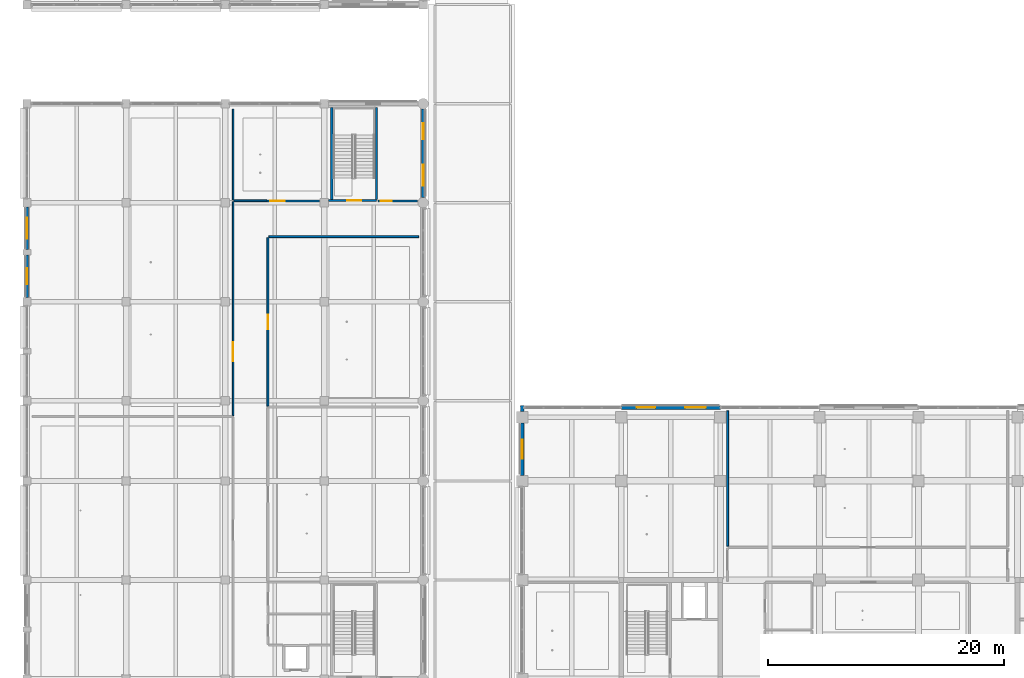
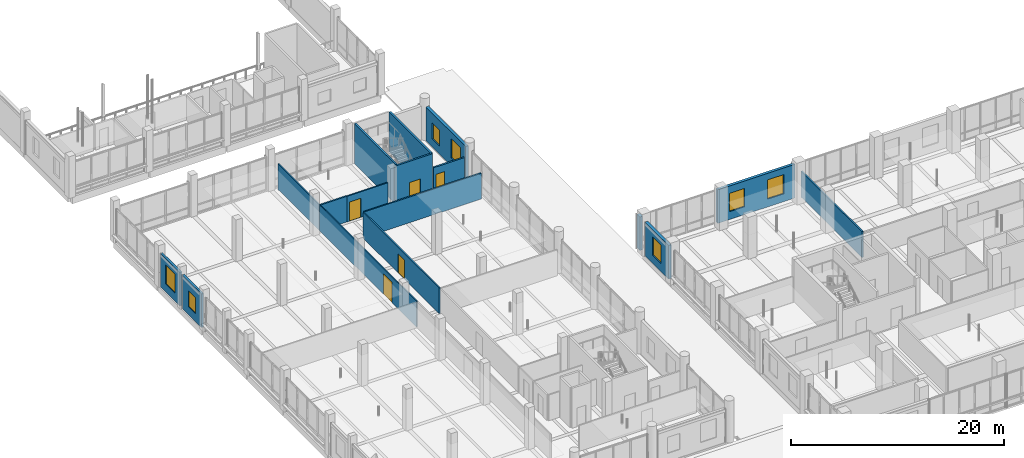
# One storey, part 54 of 128: 17 walls, 7 windows, 5 doors, 12 openings.
"""IFC4 building model written with IfcOpenShell, lengths in metres."""

from ifc_helpers import new_model, si_unit, direction, frame, frame_2d, origin, place, context, subcontext, project, spatial, rectangle, extrude, material, layer, layer_set, type_object, element, fill, save


model = new_model("IFC4")

# Units and contexts
model_context = context("Model", 3, precision=1e-05, world=origin(), true_north=direction((0.0, 1.0)))
body_context = subcontext(model_context, "Body", "Model", "MODEL_VIEW")
ifc_project = project(units=[si_unit("LENGTHUNIT", "METRE"), si_unit("AREAUNIT", "SQUARE_METRE"), si_unit("VOLUMEUNIT", "CUBIC_METRE"), si_unit("PLANEANGLEUNIT", "RADIAN"), si_unit("MASSUNIT", "GRAM", prefix="KILO")], contexts=[model_context])

# Site, building, storey
site_placement = place(None, origin())
site = spatial("IfcSite", under=ifc_project, at=site_placement, CompositionType="ELEMENT")
building_placement = place(site_placement, origin())
building = spatial("IfcBuilding", under=site, at=building_placement, Name="Telukmera Botanical Conservatory", CompositionType="ELEMENT")
storey_placement = place(building_placement, frame((0.0, 0.0, 5.39990234375)))
storey = spatial("IfcBuildingStorey", under=building, at=storey_placement, Name="L01", CompositionType="ELEMENT", Elevation=5.39990234375)

# Wall, openings, windows
ifc_material_1 = material(Name="Terracotta-faced precast concrete C40/50", Category="masonry")
ifc_layer_1 = layer(ifc_material_1, 0.300048828125)
ifc_layer_set_1 = layer_set([ifc_layer_1], Name="Terracotta-faced precast concrete C40/50")
wall_type_1 = type_object("IfcWallType", Name="Exterior Polychrome Terracotta Precast Wall 300", PredefinedType="SOLIDWALL", material=ifc_layer_set_1)
wall_1_placement = place(storey_placement, frame((42.0, 66.85205078125, 0.0), z_axis=(0.0, 0.0, 1.0), x_axis=(0.0, 1.0, 0.0)))
wall_1 = element("IfcWall", 1, at=wall_1_placement, inside=storey, type_object=wall_type_1, Name="Exterior Precast Wall EW02 V3:L01:E7", PredefinedType="SOLIDWALL", context=body_context, shape_type="SweptSolid", body=[
    extrude(rectangle(XDim=7.495849609375, YDim=0.300048828125, at=frame_2d((3.748046875, 0.0))), origin(), (0.0, 0.0, 1.0), 3.85009765625),
])
opening_1_placement = place(wall_1_placement, frame((0.9990234375, 0.0, 0.89990234375)))
opening_1 = element("IfcOpeningElement", 2, at=opening_1_placement, cuts=wall_1, Name="Opening W08", PredefinedType="OPENING", context=body_context, shape_type="SweptSolid", body=[
    extrude(rectangle(XDim=1.75, YDim=2.199951171875, at=frame_2d((0.875, 1.10009765625))), frame((0.0, 0.159912109375, 0.0), z_axis=(0.0, -1.0, 0.0), x_axis=(1.0, 0.0, 0.0)), (0.0, 0.0, 1.0), 0.320068359375),
])
opening_2_placement = place(wall_1_placement, frame((4.947021484375, 0.0, 0.89990234375)))
opening_2 = element("IfcOpeningElement", 3, at=opening_2_placement, cuts=wall_1, Name="Opening W05", PredefinedType="OPENING", context=body_context, shape_type="SweptSolid", body=[
    extrude(rectangle(XDim=1.35009765625, YDim=1.85009765625, at=frame_2d((0.675048828125, 0.925048828125))), frame((0.0, 0.159912109375, 0.0), z_axis=(0.0, -1.0, 0.0), x_axis=(1.0, 0.0, 0.0)), (0.0, 0.0, 1.0), 0.320068359375),
])
ifc_material_2 = material(Name="Thermally broken anodised aluminium frame with low-E double glazing", Category="aluminium")
window_type_1 = type_object("IfcWindowType", Name="Double Vertical Casement Classroom Window 1350x1850", PartitioningType="DOUBLE_PANEL_VERTICAL", PredefinedType="WINDOW", material=ifc_material_2)
window_1_placement = place(opening_2_placement, origin())
window_1 = element("IfcWindow", 4, at=window_1_placement, inside=storey, type_object=window_type_1, Name="Facade Window W05 V3:L01:E7 2", OverallHeight=1.85009765625, OverallWidth=1.35009765625, PartitioningType="DOUBLE_PANEL_VERTICAL", PredefinedType="WINDOW", context=body_context, shape_type="SweptSolid", body=[
    extrude(rectangle(XDim=1.35009765625, YDim=1.85009765625, at=frame_2d((0.675048828125, 0.925048828125))), frame((0.0, 0.030029296875, 0.0), z_axis=(0.0, -1.0, 0.0), x_axis=(1.0, 0.0, 0.0)), (0.0, 0.0, 1.0), 0.06005859375),
])
fill(opening_2, window_1)
window_type_2 = type_object("IfcWindowType", Name="Double Vertical Library Reading Window 1750x2200", PartitioningType="DOUBLE_PANEL_VERTICAL", PredefinedType="WINDOW", material=ifc_material_2)
window_2_placement = place(opening_1_placement, origin())
window_2 = element("IfcWindow", 5, at=window_2_placement, inside=storey, type_object=window_type_2, Name="Facade Window W08 V3:L01:E7 1", OverallHeight=2.199951171875, OverallWidth=1.75, PartitioningType="DOUBLE_PANEL_VERTICAL", PredefinedType="WINDOW", context=body_context, shape_type="SweptSolid", body=[
    extrude(rectangle(XDim=1.75, YDim=2.199951171875, at=frame_2d((0.875, 1.10009765625))), frame((0.0, 0.030029296875, 0.0), z_axis=(0.0, -1.0, 0.0), x_axis=(1.0, 0.0, 0.0)), (0.0, 0.0, 1.0), 0.06005859375),
])
fill(opening_1, window_2)

# Wall
wall_2_placement = place(storey_placement, frame((50.39990234375, 48.677001953125, 0.0), z_axis=(0.0, 0.0, 1.0), x_axis=(0.0, 1.0, 0.0)))
element("IfcWall", 6, at=wall_2_placement, inside=storey, type_object=wall_type_1, Name="Exterior Precast Wall EW02 V4:L01:NWC", PredefinedType="SOLIDWALL", context=body_context, shape_type="SweptSolid", body=[
    extrude(rectangle(XDim=0.52294921875, YDim=0.300048828125, at=frame_2d((0.261474609375, 0.0))), origin(), (0.0, 0.0, 1.0), 3.85009765625),
])

# Wall, openings, windows
wall_3_placement = place(storey_placement, frame((58.802001953125, 49.02001953125, 0.0), z_axis=(0.0, 0.0, 1.0), x_axis=(1.0, 0.0, 0.0)))
wall_3 = element("IfcWall", 7, at=wall_3_placement, inside=storey, type_object=wall_type_1, Name="Exterior Precast Wall EW02 V4:L01:N2", PredefinedType="SOLIDWALL", context=body_context, shape_type="SweptSolid", body=[
    extrude(rectangle(XDim=8.39599609375, YDim=0.300048828125, at=frame_2d((4.197998046875, 0.0))), origin(), (0.0, 0.0, 1.0), 3.85009765625),
])
opening_3_placement = place(wall_3_placement, frame((1.299072265625, 0.0, 0.89990234375)))
opening_3 = element("IfcOpeningElement", 8, at=opening_3_placement, cuts=wall_3, Name="Opening W07", PredefinedType="OPENING", context=body_context, shape_type="SweptSolid", body=[
    extrude(rectangle(XDim=1.60009765625, YDim=2.10009765625, at=frame_2d((0.800048828125, 1.050048828125))), frame((0.0, 0.159912109375, 0.0), z_axis=(0.0, -1.0, 0.0), x_axis=(1.0, 0.0, 0.0)), (0.0, 0.0, 1.0), 0.320068359375),
])
opening_4_placement = place(wall_3_placement, frame((5.422119140625, 0.0, 0.89990234375)))
opening_4 = element("IfcOpeningElement", 9, at=opening_4_placement, cuts=wall_3, Name="Opening W08", PredefinedType="OPENING", context=body_context, shape_type="SweptSolid", body=[
    extrude(rectangle(XDim=1.75, YDim=2.199951171875, at=frame_2d((0.875, 1.10009765625))), frame((0.0, 0.159912109375, 0.0), z_axis=(0.0, -1.0, 0.0), x_axis=(1.0, 0.0, 0.0)), (0.0, 0.0, 1.0), 0.320068359375),
])
window_type_3 = type_object("IfcWindowType", Name="Double Vertical Curation Study Window 1600x2100", PartitioningType="DOUBLE_PANEL_VERTICAL", PredefinedType="WINDOW", material=ifc_material_2)
window_3_placement = place(opening_3_placement, origin())
window_3 = element("IfcWindow", 10, at=window_3_placement, inside=storey, type_object=window_type_3, Name="Facade Window W07 V4:L01:N2 1", OverallHeight=2.10009765625, OverallWidth=1.60009765625, PartitioningType="DOUBLE_PANEL_VERTICAL", PredefinedType="WINDOW", context=body_context, shape_type="SweptSolid", body=[
    extrude(rectangle(XDim=1.60009765625, YDim=2.10009765625, at=frame_2d((0.800048828125, 1.050048828125))), frame((0.0, 0.030029296875, 0.0), z_axis=(0.0, -1.0, 0.0), x_axis=(1.0, 0.0, 0.0)), (0.0, 0.0, 1.0), 0.06005859375),
])
fill(opening_3, window_3)
window_4_placement = place(opening_4_placement, origin())
window_4 = element("IfcWindow", 11, at=window_4_placement, inside=storey, type_object=window_type_2, Name="Facade Window W08 V4:L01:N2 2", OverallHeight=2.199951171875, OverallWidth=1.75, PartitioningType="DOUBLE_PANEL_VERTICAL", PredefinedType="WINDOW", context=body_context, shape_type="SweptSolid", body=[
    extrude(rectangle(XDim=1.75, YDim=2.199951171875, at=frame_2d((0.875, 1.10009765625))), frame((0.0, 0.030029296875, 0.0), z_axis=(0.0, -1.0, 0.0), x_axis=(1.0, 0.0, 0.0)), (0.0, 0.0, 1.0), 0.06005859375),
])
fill(opening_4, window_4)

# Wall, opening, window
wall_4_placement = place(storey_placement, frame((50.39990234375, 43.277099609375, 0.0), z_axis=(0.0, 0.0, 1.0), x_axis=(0.0, 1.0, 0.0)))
wall_4 = element("IfcWall", 12, at=wall_4_placement, inside=storey, type_object=wall_type_1, Name="Exterior Precast Wall EW02 V4:L01:W5", PredefinedType="SOLIDWALL", context=body_context, shape_type="SweptSolid", body=[
    extrude(rectangle(XDim=4.44580078125, YDim=0.300048828125, at=frame_2d((2.222900390625, 0.0))), origin(), (0.0, 0.0, 1.0), 3.85009765625),
])
opening_5_placement = place(wall_4_placement, frame((1.423095703125, 0.0, 0.89990234375)))
opening_5 = element("IfcOpeningElement", 13, at=opening_5_placement, cuts=wall_4, Name="Opening W07", PredefinedType="OPENING", context=body_context, shape_type="SweptSolid", body=[
    extrude(rectangle(XDim=1.60009765625, YDim=2.10009765625, at=frame_2d((0.800048828125, 1.050048828125))), frame((0.0, 0.159912109375, 0.0), z_axis=(0.0, -1.0, 0.0), x_axis=(1.0, 0.0, 0.0)), (0.0, 0.0, 1.0), 0.320068359375),
])
window_5_placement = place(opening_5_placement, origin())
window_5 = element("IfcWindow", 14, at=window_5_placement, inside=storey, type_object=window_type_3, Name="Facade Window W07 V4:L01:W5", OverallHeight=2.10009765625, OverallWidth=1.60009765625, PartitioningType="DOUBLE_PANEL_VERTICAL", PredefinedType="WINDOW", context=body_context, shape_type="SweptSolid", body=[
    extrude(rectangle(XDim=1.60009765625, YDim=2.10009765625, at=frame_2d((0.800048828125, 1.050048828125))), frame((0.0, 0.030029296875, 0.0), z_axis=(0.0, -1.0, 0.0), x_axis=(1.0, 0.0, 0.0)), (0.0, 0.0, 1.0), 0.06005859375),
])
fill(opening_5, window_5)

ifc_layer_2 = layer(ifc_material_1, 0.219970703125)
ifc_layer_set_2 = layer_set([ifc_layer_2], Name="Terracotta-faced precast concrete C40/50")
wall_type_2 = type_object("IfcWallType", Name="Exterior Terracotta Rainscreen Cladding Wall 220", PredefinedType="USERDEFINED", material=ifc_layer_set_2)
wall_5_placement = place(storey_placement, frame((8.39990234375, 58.35205078125, 0.0), z_axis=(0.0, 0.0, 1.0), x_axis=(0.0, 1.0, 0.0)))
wall_5 = element("IfcWall", 15, at=wall_5_placement, inside=storey, type_object=wall_type_2, Name="Exterior Precast Wall EW07 V3:L01:W6A", ObjectType="CLADDING", PredefinedType="USERDEFINED", context=body_context, shape_type="SweptSolid", body=[
    extrude(rectangle(XDim=3.620849609375, YDim=0.219970703125, at=frame_2d((1.810546875, 0.0))), origin(), (0.0, 0.0, 1.0), 3.85009765625),
])
opening_6_placement = place(wall_5_placement, frame((1.135498046875, 0.0, 0.89990234375)))
opening_6 = element("IfcOpeningElement", 16, at=opening_6_placement, cuts=wall_5, Name="Opening W05", PredefinedType="OPENING", context=body_context, shape_type="SweptSolid", body=[
    extrude(rectangle(XDim=1.35009765625, YDim=1.85009765625, at=frame_2d((0.675048828125, 0.925048828125))), frame((0.0, 0.119873046875, 0.0), z_axis=(0.0, -1.0, 0.0), x_axis=(1.0, 0.0, 0.0)), (0.0, 0.0, 1.0), 0.239990234375),
])
window_6_placement = place(opening_6_placement, origin())
window_6 = element("IfcWindow", 17, at=window_6_placement, inside=storey, type_object=window_type_1, Name="Facade Window W05 V3:L01:W6A", OverallHeight=1.85009765625, OverallWidth=1.35009765625, PartitioningType="DOUBLE_PANEL_VERTICAL", PredefinedType="WINDOW", context=body_context, shape_type="SweptSolid", body=[
    extrude(rectangle(XDim=1.35009765625, YDim=1.85009765625, at=frame_2d((0.675048828125, 0.925048828125))), frame((0.0, 0.030029296875, 0.0), z_axis=(0.0, -1.0, 0.0), x_axis=(1.0, 0.0, 0.0)), (0.0, 0.0, 1.0), 0.06005859375),
])
fill(opening_6, window_6)

wall_6_placement = place(storey_placement, frame((8.39990234375, 62.427001953125, 0.0), z_axis=(0.0, 0.0, 1.0), x_axis=(0.0, 1.0, 0.0)))
wall_6 = element("IfcWall", 18, at=wall_6_placement, inside=storey, type_object=wall_type_2, Name="Exterior Precast Wall EW07 V3:L01:W6B", ObjectType="CLADDING", PredefinedType="USERDEFINED", context=body_context, shape_type="SweptSolid", body=[
    extrude(rectangle(XDim=3.62109375, YDim=0.219970703125, at=frame_2d((1.810546875, 0.0))), origin(), (0.0, 0.0, 1.0), 3.85009765625),
])
opening_7_placement = place(wall_6_placement, frame((0.935546875, 0.0, 0.89990234375)))
opening_7 = element("IfcOpeningElement", 19, at=opening_7_placement, cuts=wall_6, Name="Opening W08", PredefinedType="OPENING", context=body_context, shape_type="SweptSolid", body=[
    extrude(rectangle(XDim=1.75, YDim=2.199951171875, at=frame_2d((0.875, 1.10009765625))), frame((0.0, 0.119873046875, 0.0), z_axis=(0.0, -1.0, 0.0), x_axis=(1.0, 0.0, 0.0)), (0.0, 0.0, 1.0), 0.239990234375),
])
window_7_placement = place(opening_7_placement, origin())
window_7 = element("IfcWindow", 20, at=window_7_placement, inside=storey, type_object=window_type_2, Name="Facade Window W08 V3:L01:W6B", OverallHeight=2.199951171875, OverallWidth=1.75, PartitioningType="DOUBLE_PANEL_VERTICAL", PredefinedType="WINDOW", context=body_context, shape_type="SweptSolid", body=[
    extrude(rectangle(XDim=1.75, YDim=2.199951171875, at=frame_2d((0.875, 1.10009765625))), frame((0.0, 0.030029296875, 0.0), z_axis=(0.0, -1.0, 0.0), x_axis=(1.0, 0.0, 0.0)), (0.0, 0.0, 1.0), 0.06005859375),
])
fill(opening_7, window_7)

# Wall, opening, door
ifc_material_3 = material(Name="Aluminium framed acoustic glass", Category="aluminium")
ifc_layer_3 = layer(ifc_material_3, 0.1201171875)
ifc_layer_set_3 = layer_set([ifc_layer_3], Name="Aluminium framed acoustic glass")
wall_type_3 = type_object("IfcWallType", Name="WT-GLAZ-120", PredefinedType="PARTITIONING", material=ifc_layer_set_3)
wall_7_placement = place(storey_placement, frame((25.875, 48.35009765625, 0.0), z_axis=(0.0, 0.0, 1.0), x_axis=(0.0, 1.0, 0.0)))
wall_7 = element("IfcWall", 21, at=wall_7_placement, inside=storey, type_object=wall_type_3, Name="L01 Interior Partition 09", PredefinedType="PARTITIONING", context=body_context, shape_type="SweptSolid", body=[
    extrude(rectangle(XDim=18.14990234375, YDim=0.1201171875, at=frame_2d((9.074951171875, 0.0))), origin(), (0.0, 0.0, 1.0), 2.9501953125),
])
opening_8_placement = place(wall_7_placement, frame((4.60009765625, 0.0, 0.0)))
opening_8 = element("IfcOpeningElement", 22, at=opening_8_placement, cuts=wall_7, Name="Opening ID03", PredefinedType="OPENING", context=body_context, shape_type="SweptSolid", body=[
    extrude(rectangle(XDim=1.60009765625, YDim=2.35009765625, at=frame_2d((0.800048828125, 1.175048828125))), frame((0.0, 0.070068359375, 0.0), z_axis=(0.0, -1.0, 0.0), x_axis=(1.0, 0.0, 0.0)), (0.0, 0.0, 1.0), 0.14013671875),
])
ifc_material_4 = material(Name="Anodised aluminium glazed double door", Category="aluminium")
door_type_1 = type_object("IfcDoorType", Name="DT-GAL-160", OperationType="NOTDEFINED", PredefinedType="DOOR", material=ifc_material_4)
door_1_placement = place(opening_8_placement, origin())
door_1 = element("IfcDoor", 23, at=door_1_placement, inside=storey, type_object=door_type_1, Name="L01 Ethnobotany Exhibition Gallery Door", OperationType="SINGLE_SWING_LEFT", OverallHeight=2.35009765625, OverallWidth=1.60009765625, PredefinedType="DOOR", context=body_context, shape_type="SweptSolid", body=[
    extrude(rectangle(XDim=1.60009765625, YDim=2.35009765625, at=frame_2d((0.800048828125, 1.175048828125))), frame((0.0, 0.02490234375, 0.0), z_axis=(0.0, -1.0, 0.0), x_axis=(1.0, 0.0, 0.0)), (0.0, 0.0, 1.0), 0.050048828125),
])
fill(opening_8, door_1)

# Walls
wall_8_placement = place(storey_placement, frame((25.875, 66.64990234375, 0.0), z_axis=(0.0, 0.0, 1.0), x_axis=(0.0, 1.0, 0.0)))
element("IfcWall", 24, at=wall_8_placement, inside=storey, type_object=wall_type_3, Name="L01 Interior Partition 17", PredefinedType="PARTITIONING", context=body_context, shape_type="SweptSolid", body=[
    extrude(rectangle(XDim=7.7001953125, YDim=0.1201171875, at=frame_2d((3.85009765625, 0.0))), origin(), (0.0, 0.0, 1.0), 2.9501953125),
])
ifc_material_5 = material(Name="Gypsum acoustic stud partition")
ifc_layer_4 = layer(ifc_material_5, 0.159912109375)
ifc_layer_set_4 = layer_set([ifc_layer_4], Name="Gypsum acoustic stud partition")
wall_type_4 = type_object("IfcWallType", Name="WT-LAB-160", PredefinedType="PARTITIONING", material=ifc_layer_set_4)
wall_9_placement = place(storey_placement, frame((67.824951171875, 37.264892578125, 0.0), z_axis=(0.0, 0.0, 1.0), x_axis=(0.0, 1.0, 0.0)))
element("IfcWall", 25, at=wall_9_placement, inside=storey, type_object=wall_type_4, Name="L01 Interior Partition 63", PredefinedType="PARTITIONING", context=body_context, shape_type="SweptSolid", body=[
    extrude(rectangle(XDim=11.485107421875, YDim=0.159912109375, at=frame_2d((5.74267578125, 0.0))), origin(), (0.0, 0.0, 1.0), 2.9501953125),
])

# Wall, opening, door
ifc_material_6 = material(Name="Blockwork masonry", Category="masonry")
ifc_layer_5 = layer(ifc_material_6, 0.169921875)
ifc_layer_set_5 = layer_set([ifc_layer_5], Name="Blockwork masonry")
wall_type_5 = type_object("IfcWallType", Name="WT-PLANT-170", PredefinedType="PARTITIONING", material=ifc_layer_set_5)
wall_10_placement = place(storey_placement, frame((38.14990234375, 66.550048828125, 0.0), z_axis=(0.0, 0.0, 1.0), x_axis=(1.0, 0.0, 0.0)))
wall_10 = element("IfcWall", 26, at=wall_10_placement, inside=storey, type_object=wall_type_5, Name="L01 Interior Partition 15", PredefinedType="PARTITIONING", context=body_context, shape_type="SweptSolid", body=[
    extrude(rectangle(XDim=3.3701171875, YDim=0.169921875, at=frame_2d((1.68505859375, 0.0))), origin(), (0.0, 0.0, 1.0), 2.9501953125),
])
opening_9_placement = place(wall_10_placement, frame((0.25, 0.0, 0.0)))
opening_9 = element("IfcOpeningElement", 27, at=opening_9_placement, cuts=wall_10, Name="Opening ID16", PredefinedType="OPENING", context=body_context, shape_type="SweptSolid", body=[
    extrude(rectangle(XDim=0.93994140625, YDim=2.10009765625, at=frame_2d((0.469970703125, 1.050048828125))), frame((0.0, 0.094970703125, 0.0), z_axis=(0.0, -1.0, 0.0), x_axis=(1.0, 0.0, 0.0)), (0.0, 0.0, 1.0), 0.18994140625),
])
ifc_material_7 = material(Name="Steel utility store fire door", Category="steel")
door_type_2 = type_object("IfcDoorType", Name="DT-STR-094", OperationType="NOTDEFINED", PredefinedType="DOOR", material=ifc_material_7)
door_2_placement = place(opening_9_placement, origin())
door_2 = element("IfcDoor", 28, at=door_2_placement, inside=storey, type_object=door_type_2, Name="L01 Audio Visual Preparation Closet Door", OperationType="SINGLE_SWING_RIGHT", OverallHeight=2.10009765625, OverallWidth=0.93994140625, PredefinedType="DOOR", context=body_context, shape_type="SweptSolid", body=[
    extrude(rectangle(XDim=0.93994140625, YDim=2.10009765625, at=frame_2d((0.469970703125, 1.050048828125))), frame((0.0, 0.02490234375, 0.0), z_axis=(0.0, -1.0, 0.0), x_axis=(1.0, 0.0, 0.0)), (0.0, 0.0, 1.0), 0.050048828125),
])
fill(opening_9, door_2)

ifc_material_8 = material(Name="Concrete C40/50", Category="concrete")
ifc_layer_6 = layer(ifc_material_8, 0.18994140625)
ifc_layer_set_6 = layer_set([ifc_layer_6], Name="Concrete C40/50")
wall_type_6 = type_object("IfcWallType", Name="WT-STAIR-190", PredefinedType="SOLIDWALL", material=ifc_layer_set_6)
wall_11_placement = place(storey_placement, frame((33.949951171875, 66.580078125, 0.0), z_axis=(0.0, 0.0, 1.0), x_axis=(1.0, 0.0, 0.0)))
wall_11 = element("IfcWall", 29, at=wall_11_placement, inside=storey, type_object=wall_type_6, Name="L01 Stair ST4 South Wall", PredefinedType="SOLIDWALL", context=body_context, shape_type="SweptSolid", body=[
    extrude(rectangle(XDim=4.080078125, YDim=0.18994140625, at=frame_2d((2.0400390625, 0.0))), origin(), (0.0, 0.0, 1.0), 4.580078125),
])
opening_10_placement = place(wall_11_placement, frame((1.60009765625, 0.0, 0.0)))
opening_10 = element("IfcOpeningElement", 30, at=opening_10_placement, cuts=wall_11, Name="Opening FD60D", PredefinedType="OPENING", context=body_context, shape_type="SweptSolid", body=[
    extrude(rectangle(XDim=1.179931640625, YDim=2.14990234375, at=frame_2d((0.58984375, 1.074951171875))), frame((0.0, 0.10498046875, 0.0), z_axis=(0.0, -1.0, 0.0), x_axis=(1.0, 0.0, 0.0)), (0.0, 0.0, 1.0), 0.2099609375),
])
ifc_material_9 = material(Name="Hardwood fire door", Category="wood")
door_type_3 = type_object("IfcDoorType", Name="DT-FD60-04", OperationType="NOTDEFINED", PredefinedType="DOOR", material=ifc_material_9)
door_3_placement = place(opening_10_placement, origin())
door_3 = element("IfcDoor", 31, at=door_3_placement, inside=storey, type_object=door_type_3, Name="L01 Stair ST4 Escape Door", OperationType="SINGLE_SWING_LEFT", OverallHeight=2.14990234375, OverallWidth=1.179931640625, PredefinedType="DOOR", context=body_context, shape_type="SweptSolid", body=[
    extrude(rectangle(XDim=1.179931640625, YDim=2.14990234375, at=frame_2d((0.58984375, 1.074951171875))), frame((0.0, 0.02490234375, 0.0), z_axis=(0.0, -1.0, 0.0), x_axis=(1.0, 0.0, 0.0)), (0.0, 0.0, 1.0), 0.050048828125),
])
fill(opening_10, door_3)

# Walls
for number, where, z_axis, x_axis, name in (
    (32, (34.25, 66.679931640625, 0.0), (0.0, 0.0, 1.0), (0.0, 1.0, 0.0), "L01 Stair ST4 W Wall"),
    (33, (38.030029296875, 66.679931640625, 0.0), (0.0, 0.0, 1.0), (0.0, 1.0, 0.0), "L01 Stair ST4 E Wall"),
):
    element("IfcWall", number, at=place(storey_placement, frame(where, z_axis=z_axis, x_axis=x_axis)), inside=storey, type_object=wall_type_6, Name=name, PredefinedType="SOLIDWALL", context=body_context, shape_type="SweptSolid", body=[
        extrude(rectangle(XDim=7.780029296875, YDim=0.18994140625, at=frame_2d((3.89013671875, 0.0))), origin(), (0.0, 0.0, 1.0), 4.580078125),
    ])

# Wall, opening, door
ifc_layer_7 = layer(ifc_material_5, 0.14990234375)
ifc_layer_set_7 = layer_set([ifc_layer_7], Name="Gypsum acoustic stud partition")
wall_type_7 = type_object("IfcWallType", Name="WT-STD-150", PredefinedType="PARTITIONING", material=ifc_layer_set_7)
wall_12_placement = place(storey_placement, frame((28.824951171875, 49.14990234375, 0.0), z_axis=(0.0, 0.0, 1.0), x_axis=(0.0, 1.0, 0.0)))
wall_12 = element("IfcWall", 34, at=wall_12_placement, inside=storey, type_object=wall_type_7, Name="L01 Interior Partition 11", PredefinedType="PARTITIONING", context=body_context, shape_type="SweptSolid", body=[
    extrude(rectangle(XDim=14.300048828125, YDim=0.14990234375, at=frame_2d((7.14990234375, 0.0))), origin(), (0.0, 0.0, 1.0), 2.9501953125),
])
opening_11_placement = place(wall_12_placement, frame((6.530029296875, 0.0, 0.0)))
opening_11 = element("IfcOpeningElement", 35, at=opening_11_placement, cuts=wall_12, Name="Opening ID08", PredefinedType="OPENING", context=body_context, shape_type="SweptSolid", body=[
    extrude(rectangle(XDim=1.239990234375, YDim=2.199951171875, at=frame_2d((0.6201171875, 1.10009765625))), frame((0.0, 0.0849609375, 0.0), z_axis=(0.0, -1.0, 0.0), x_axis=(1.0, 0.0, 0.0)), (0.0, 0.0, 1.0), 0.169921875),
])
ifc_material_10 = material(Name="Solid core hardwood classroom door", Category="wood")
door_type_4 = type_object("IfcDoorType", Name="DT-CLS-124", OperationType="NOTDEFINED", PredefinedType="DOOR", material=ifc_material_10)
door_4_placement = place(opening_11_placement, frame((1.239990234375, 0.0, 0.0), z_axis=(0.0, 0.0, 1.0), x_axis=(-1.0, 0.0, 0.0)))
door_4 = element("IfcDoor", 36, at=door_4_placement, inside=storey, type_object=door_type_4, Name="L01 Botanical Teaching Studio Door", OperationType="SINGLE_SWING_RIGHT", OverallHeight=2.199951171875, OverallWidth=1.239990234375, PredefinedType="DOOR", context=body_context, shape_type="SweptSolid", body=[
    extrude(rectangle(XDim=1.239990234375, YDim=2.199951171875, at=frame_2d((0.6201171875, 1.10009765625))), frame((0.0, 0.02490234375, 0.0), z_axis=(0.0, -1.0, 0.0), x_axis=(1.0, 0.0, 0.0)), (0.0, 0.0, 1.0), 0.050048828125),
])
fill(opening_11, door_4)

# Walls
wall_13_placement = place(storey_placement, frame((25.949951171875, 66.574951171875, 0.0), z_axis=(0.0, 0.0, 1.0), x_axis=(1.0, 0.0, 0.0)))
element("IfcWall", 37, at=wall_13_placement, inside=storey, type_object=wall_type_7, Name="L01 Interior Partition 12", PredefinedType="PARTITIONING", context=body_context, shape_type="SweptSolid", body=[
    extrude(rectangle(XDim=2.800048828125, YDim=0.14990234375, at=frame_2d((1.39990234375, 0.0))), origin(), (0.0, 0.0, 1.0), 2.9501953125),
])
wall_14_placement = place(storey_placement, frame((28.909912109375, 63.52490234375, 0.0), z_axis=(0.0, 0.0, 1.0), x_axis=(1.0, 0.0, 0.0)))
element("IfcWall", 38, at=wall_14_placement, inside=storey, type_object=wall_type_7, Name="L01 Interior Partition 13", PredefinedType="PARTITIONING", context=body_context, shape_type="SweptSolid", body=[
    extrude(rectangle(XDim=12.690185546875, YDim=0.14990234375, at=frame_2d((6.34521484375, 0.0))), origin(), (0.0, 0.0, 1.0), 2.9501953125),
])

# Wall, opening, door
wall_15_placement = place(storey_placement, frame((28.760009765625, 66.550048828125, 0.0), z_axis=(0.0, 0.0, 1.0), x_axis=(1.0, 0.0, 0.0)))
wall_15 = element("IfcWall", 39, at=wall_15_placement, inside=storey, type_object=wall_type_7, Name="L01 Interior Partition 14", PredefinedType="PARTITIONING", context=body_context, shape_type="SweptSolid", body=[
    extrude(rectangle(XDim=4.4599609375, YDim=0.14990234375, at=frame_2d((2.22998046875, 0.0))), origin(), (0.0, 0.0, 1.0), 2.9501953125),
])
opening_12_placement = place(wall_15_placement, frame((0.25, 0.0, 0.0)))
opening_12 = element("IfcOpeningElement", 40, at=opening_12_placement, cuts=wall_15, Name="Opening ID08", PredefinedType="OPENING", context=body_context, shape_type="SweptSolid", body=[
    extrude(rectangle(XDim=1.239990234375, YDim=2.199951171875, at=frame_2d((0.6201171875, 1.10009765625))), frame((0.0, 0.0849609375, 0.0), z_axis=(0.0, -1.0, 0.0), x_axis=(1.0, 0.0, 0.0)), (0.0, 0.0, 1.0), 0.169921875),
])
door_5_placement = place(opening_12_placement, origin())
door_5 = element("IfcDoor", 41, at=door_5_placement, inside=storey, type_object=door_type_4, Name="L01 Education Resource Room Door", OperationType="SINGLE_SWING_LEFT", OverallHeight=2.199951171875, OverallWidth=1.239990234375, PredefinedType="DOOR", context=body_context, shape_type="SweptSolid", body=[
    extrude(rectangle(XDim=1.239990234375, YDim=2.199951171875, at=frame_2d((0.6201171875, 1.10009765625))), frame((0.0, 0.02490234375, 0.0), z_axis=(0.0, -1.0, 0.0), x_axis=(1.0, 0.0, 0.0)), (0.0, 0.0, 1.0), 0.050048828125),
])
fill(opening_12, door_5)

save(model, "model.ifc")
